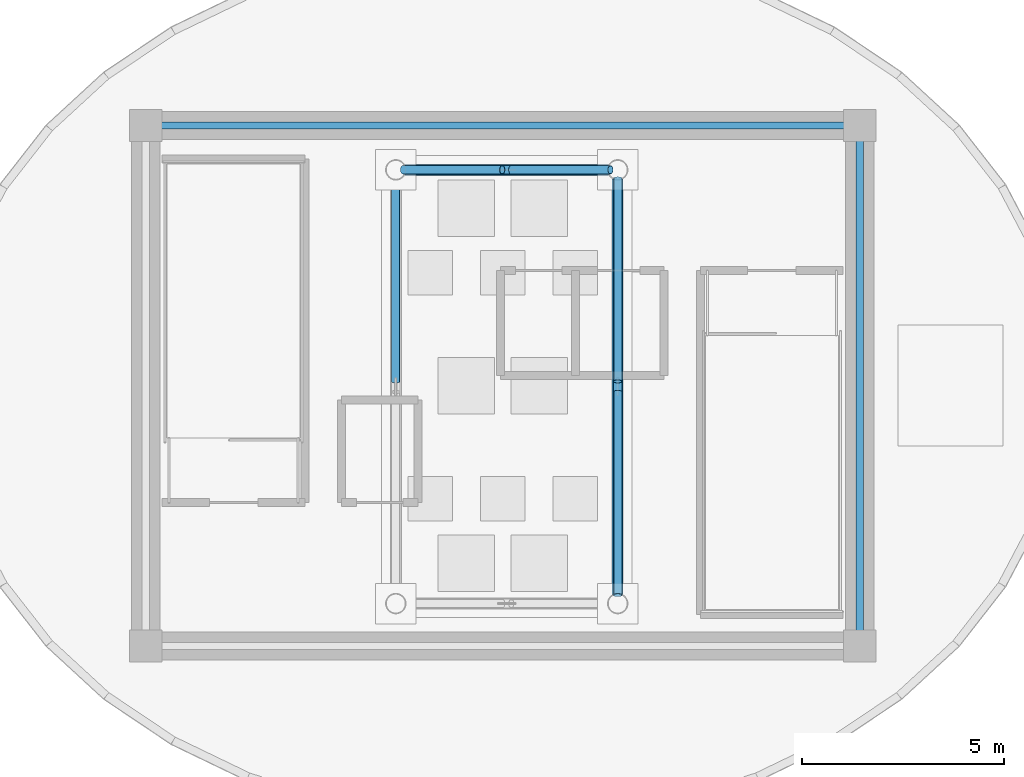
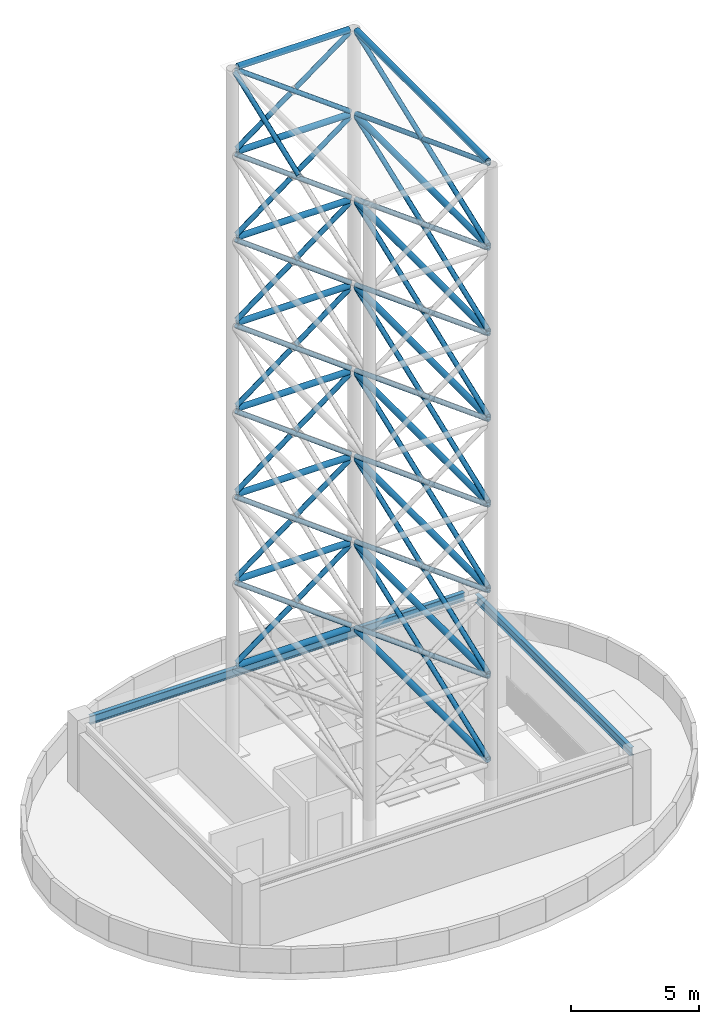
# One storey, part 2 of 6: 43 members, 18 beams.
"""IFC4 building model written with IfcOpenShell, lengths in metres."""

from ifc_helpers import new_model, si_unit, direction, frame, origin, origin_2d, place, context, subcontext, project, spatial, hollow_circle, i_section, extrude, material, material_profile, profile_set, type_object, element, save


model = new_model("IFC4")

# Units and contexts
model_context = context("Model", 3, precision=1e-05, world=origin(), true_north=direction((0.0, 1.0)))
body_context = subcontext(model_context, "Body", "Model", "MODEL_VIEW")
ifc_project = project(units=[si_unit("LENGTHUNIT", "METRE"), si_unit("AREAUNIT", "SQUARE_METRE"), si_unit("VOLUMEUNIT", "CUBIC_METRE"), si_unit("PLANEANGLEUNIT", "RADIAN"), si_unit("MASSUNIT", "GRAM", prefix="KILO")], contexts=[model_context])

# Site, building, storey
site_placement = place(None, origin())
site = spatial("IfcSite", under=ifc_project, at=site_placement, CompositionType="ELEMENT")
building_placement = place(site_placement, origin())
building = spatial("IfcBuilding", under=site, at=building_placement, Name="Linh Dai School and Residence Tower", CompositionType="ELEMENT")
storey_placement = place(building_placement, frame((0.0, 0.0, 373.199951171875)))
storey = spatial("IfcBuildingStorey", under=building, at=storey_placement, Name="RF", CompositionType="ELEMENT", Elevation=373.199951171875)

# Beams
ifc_material = material(Name="Structural Steel S355JR", Category="steel")
ifc_material_profile_1 = material_profile(ifc_material, hollow_circle(Radius=0.136474609375, WallThickness=0.010009765625, at=origin_2d()), Name="CHS 273x10")
ifc_profile_set_1 = profile_set([ifc_material_profile_1], Name="Structural Steel S355JR")
beam_type_1 = type_object("IfcBeamType", Name="BM-MSTR", PredefinedType="USERDEFINED", material=ifc_profile_set_1)
beam_1_placement = place(storey_placement, frame((38.85009765625, 21.823974609375, 4.10009765625), z_axis=(0.0, 1.0, 0.0), x_axis=(-1.0, 0.0, 0.0)))
element("IfcBeam", 1, at=beam_1_placement, inside=storey, type_object=beam_type_1, Name="Lattice Broadcast Mast Ring Strut Tier 1 Face 2", ObjectType="MAST", PredefinedType="USERDEFINED", context=body_context, shape_type="SweptSolid", body=[
    extrude(hollow_circle(Radius=0.136474609375, WallThickness=0.010009765625, at=origin_2d()), origin(), (0.0, 0.0, 1.0), 10.302001953125),
])
beam_2_placement = place(storey_placement, frame((38.6259765625, 32.35009765625, 4.10009765625), z_axis=(-1.0, 0.0, 0.0), x_axis=(0.0, -1.0, 0.0)))
element("IfcBeam", 2, at=beam_2_placement, inside=storey, type_object=beam_type_1, Name="Lattice Broadcast Mast Ring Strut Tier 1 Face 3", ObjectType="MAST", PredefinedType="USERDEFINED", context=body_context, shape_type="SweptSolid", body=[
    extrude(hollow_circle(Radius=0.136474609375, WallThickness=0.010009765625, at=origin_2d()), origin(), (0.0, 0.0, 1.0), 5.052001953125),
])
beam_3_placement = place(storey_placement, frame((38.85009765625, 21.823974609375, 8.199951171875), z_axis=(0.0, 1.0, 0.0), x_axis=(-1.0, 0.0, 0.0)))
element("IfcBeam", 3, at=beam_3_placement, inside=storey, type_object=beam_type_1, Name="Lattice Broadcast Mast Ring Strut Tier 2 Face 2", ObjectType="MAST", PredefinedType="USERDEFINED", context=body_context, shape_type="SweptSolid", body=[
    extrude(hollow_circle(Radius=0.136474609375, WallThickness=0.010009765625, at=origin_2d()), origin(), (0.0, 0.0, 1.0), 10.302001953125),
])
beam_4_placement = place(storey_placement, frame((38.6259765625, 32.35009765625, 8.199951171875), z_axis=(-1.0, 0.0, 0.0), x_axis=(0.0, -1.0, 0.0)))
element("IfcBeam", 4, at=beam_4_placement, inside=storey, type_object=beam_type_1, Name="Lattice Broadcast Mast Ring Strut Tier 2 Face 3", ObjectType="MAST", PredefinedType="USERDEFINED", context=body_context, shape_type="SweptSolid", body=[
    extrude(hollow_circle(Radius=0.136474609375, WallThickness=0.010009765625, at=origin_2d()), origin(), (0.0, 0.0, 1.0), 5.052001953125),
])
beam_5_placement = place(storey_placement, frame((38.85009765625, 21.823974609375, 12.300048828125), z_axis=(0.0, 1.0, 0.0), x_axis=(-1.0, 0.0, 0.0)))
element("IfcBeam", 5, at=beam_5_placement, inside=storey, type_object=beam_type_1, Name="Lattice Broadcast Mast Ring Strut Tier 3 Face 2", ObjectType="MAST", PredefinedType="USERDEFINED", context=body_context, shape_type="SweptSolid", body=[
    extrude(hollow_circle(Radius=0.136474609375, WallThickness=0.010009765625, at=origin_2d()), origin(), (0.0, 0.0, 1.0), 10.302001953125),
])
beam_6_placement = place(storey_placement, frame((38.6259765625, 32.35009765625, 12.300048828125), z_axis=(-1.0, 0.0, 0.0), x_axis=(0.0, -1.0, 0.0)))
element("IfcBeam", 6, at=beam_6_placement, inside=storey, type_object=beam_type_1, Name="Lattice Broadcast Mast Ring Strut Tier 3 Face 3", ObjectType="MAST", PredefinedType="USERDEFINED", context=body_context, shape_type="SweptSolid", body=[
    extrude(hollow_circle(Radius=0.136474609375, WallThickness=0.010009765625, at=origin_2d()), origin(), (0.0, 0.0, 1.0), 5.052001953125),
])
beam_7_placement = place(storey_placement, frame((38.85009765625, 21.823974609375, 16.400146484375), z_axis=(0.0, 1.0, 0.0), x_axis=(-1.0, 0.0, 0.0)))
element("IfcBeam", 7, at=beam_7_placement, inside=storey, type_object=beam_type_1, Name="Lattice Broadcast Mast Ring Strut Tier 4 Face 2", ObjectType="MAST", PredefinedType="USERDEFINED", context=body_context, shape_type="SweptSolid", body=[
    extrude(hollow_circle(Radius=0.136474609375, WallThickness=0.010009765625, at=origin_2d()), origin(), (0.0, 0.0, 1.0), 10.302001953125),
])
beam_8_placement = place(storey_placement, frame((38.6259765625, 32.35009765625, 16.400146484375), z_axis=(-1.0, 0.0, 0.0), x_axis=(0.0, -1.0, 0.0)))
element("IfcBeam", 8, at=beam_8_placement, inside=storey, type_object=beam_type_1, Name="Lattice Broadcast Mast Ring Strut Tier 4 Face 3", ObjectType="MAST", PredefinedType="USERDEFINED", context=body_context, shape_type="SweptSolid", body=[
    extrude(hollow_circle(Radius=0.136474609375, WallThickness=0.010009765625, at=origin_2d()), origin(), (0.0, 0.0, 1.0), 5.052001953125),
])
beam_9_placement = place(storey_placement, frame((38.85009765625, 21.823974609375, 20.5), z_axis=(0.0, 1.0, 0.0), x_axis=(-1.0, 0.0, 0.0)))
element("IfcBeam", 9, at=beam_9_placement, inside=storey, type_object=beam_type_1, Name="Lattice Broadcast Mast Ring Strut Tier 5 Face 2", ObjectType="MAST", PredefinedType="USERDEFINED", context=body_context, shape_type="SweptSolid", body=[
    extrude(hollow_circle(Radius=0.136474609375, WallThickness=0.010009765625, at=origin_2d()), origin(), (0.0, 0.0, 1.0), 10.302001953125),
])
beam_10_placement = place(storey_placement, frame((38.6259765625, 32.35009765625, 20.5), z_axis=(-1.0, 0.0, 0.0), x_axis=(0.0, -1.0, 0.0)))
element("IfcBeam", 10, at=beam_10_placement, inside=storey, type_object=beam_type_1, Name="Lattice Broadcast Mast Ring Strut Tier 5 Face 3", ObjectType="MAST", PredefinedType="USERDEFINED", context=body_context, shape_type="SweptSolid", body=[
    extrude(hollow_circle(Radius=0.136474609375, WallThickness=0.010009765625, at=origin_2d()), origin(), (0.0, 0.0, 1.0), 5.052001953125),
])
beam_11_placement = place(storey_placement, frame((38.85009765625, 21.823974609375, 24.60009765625), z_axis=(0.0, 1.0, 0.0), x_axis=(-1.0, 0.0, 0.0)))
element("IfcBeam", 11, at=beam_11_placement, inside=storey, type_object=beam_type_1, Name="Lattice Broadcast Mast Ring Strut Tier 6 Face 2", ObjectType="MAST", PredefinedType="USERDEFINED", context=body_context, shape_type="SweptSolid", body=[
    extrude(hollow_circle(Radius=0.136474609375, WallThickness=0.010009765625, at=origin_2d()), origin(), (0.0, 0.0, 1.0), 10.302001953125),
])
beam_12_placement = place(storey_placement, frame((38.6259765625, 32.35009765625, 24.60009765625), z_axis=(-1.0, 0.0, 0.0), x_axis=(0.0, -1.0, 0.0)))
element("IfcBeam", 12, at=beam_12_placement, inside=storey, type_object=beam_type_1, Name="Lattice Broadcast Mast Ring Strut Tier 6 Face 3", ObjectType="MAST", PredefinedType="USERDEFINED", context=body_context, shape_type="SweptSolid", body=[
    extrude(hollow_circle(Radius=0.136474609375, WallThickness=0.010009765625, at=origin_2d()), origin(), (0.0, 0.0, 1.0), 5.052001953125),
])
beam_13_placement = place(storey_placement, frame((38.85009765625, 21.823974609375, 28.699951171875), z_axis=(0.0, 1.0, 0.0), x_axis=(-1.0, 0.0, 0.0)))
element("IfcBeam", 13, at=beam_13_placement, inside=storey, type_object=beam_type_1, Name="Lattice Broadcast Mast Ring Strut Tier 7 Face 2", ObjectType="MAST", PredefinedType="USERDEFINED", context=body_context, shape_type="SweptSolid", body=[
    extrude(hollow_circle(Radius=0.136474609375, WallThickness=0.010009765625, at=origin_2d()), origin(), (0.0, 0.0, 1.0), 10.302001953125),
])
beam_14_placement = place(storey_placement, frame((38.6259765625, 32.35009765625, 28.699951171875), z_axis=(-1.0, 0.0, 0.0), x_axis=(0.0, -1.0, 0.0)))
element("IfcBeam", 14, at=beam_14_placement, inside=storey, type_object=beam_type_1, Name="Lattice Broadcast Mast Ring Strut Tier 7 Face 3", ObjectType="MAST", PredefinedType="USERDEFINED", context=body_context, shape_type="SweptSolid", body=[
    extrude(hollow_circle(Radius=0.136474609375, WallThickness=0.010009765625, at=origin_2d()), origin(), (0.0, 0.0, 1.0), 5.052001953125),
])
beam_15_placement = place(storey_placement, frame((38.85009765625, 21.823974609375, 32.760009765625), z_axis=(0.0, 1.0, 0.0), x_axis=(-1.0, 0.0, 0.0)))
element("IfcBeam", 15, at=beam_15_placement, inside=storey, type_object=beam_type_1, Name="Lattice Broadcast Mast Ring Strut Tier 8 Face 2", ObjectType="MAST", PredefinedType="USERDEFINED", context=body_context, shape_type="SweptSolid", body=[
    extrude(hollow_circle(Radius=0.136474609375, WallThickness=0.010009765625, at=origin_2d()), origin(), (0.0, 0.0, 1.0), 10.302001953125),
])
beam_16_placement = place(storey_placement, frame((38.6259765625, 32.35009765625, 32.760009765625), z_axis=(-1.0, 0.0, 0.0), x_axis=(0.0, -1.0, 0.0)))
element("IfcBeam", 16, at=beam_16_placement, inside=storey, type_object=beam_type_1, Name="Lattice Broadcast Mast Ring Strut Tier 8 Face 3", ObjectType="MAST", PredefinedType="USERDEFINED", context=body_context, shape_type="SweptSolid", body=[
    extrude(hollow_circle(Radius=0.136474609375, WallThickness=0.010009765625, at=origin_2d()), origin(), (0.0, 0.0, 1.0), 5.052001953125),
])
ifc_material_profile_2 = material_profile(ifc_material, i_section(OverallWidth=0.179931640625, OverallDepth=0.39990234375, WebThickness=0.008544921875, FlangeThickness=0.013427734375, FilletRadius=0.02099609375, at=origin_2d()), Name="IPE 400")
ifc_profile_set_2 = profile_set([ifc_material_profile_2], Name="Structural Steel S355JR")
beam_type_2 = type_object("IfcBeamType", Name="BM-SB40", PredefinedType="BEAM", material=ifc_profile_set_2)
beam_17_placement = place(storey_placement, frame((44.85009765625, 20.919921875, 2.949951171875), z_axis=(0.0, 1.0, 0.0), x_axis=(-1.0, 0.0, 0.0)))
element("IfcBeam", 17, at=beam_17_placement, inside=storey, type_object=beam_type_2, Name="RF Vestibule Roof Edge Beam 2", PredefinedType="BEAM", context=body_context, shape_type="SweptSolid", body=[
    extrude(i_section(OverallWidth=0.179931640625, OverallDepth=0.39990234375, WebThickness=0.008544921875, FlangeThickness=0.013427734375, FilletRadius=0.02099609375, at=origin_2d()), origin(), (0.0, 0.0, 1.0), 12.16015625),
])
beam_18_placement = place(storey_placement, frame((44.47998046875, 33.449951171875, 2.949951171875), z_axis=(-1.0, 0.0, 0.0), x_axis=(0.0, -1.0, 0.0)))
element("IfcBeam", 18, at=beam_18_placement, inside=storey, type_object=beam_type_2, Name="RF Vestibule Roof Edge Beam 3", PredefinedType="BEAM", context=body_context, shape_type="SweptSolid", body=[
    extrude(i_section(OverallWidth=0.179931640625, OverallDepth=0.39990234375, WebThickness=0.008544921875, FlangeThickness=0.013427734375, FilletRadius=0.02099609375, at=origin_2d()), origin(), (0.0, 0.0, 1.0), 16.9599609375),
])

# Members
ifc_material_profile_3 = material_profile(ifc_material, hollow_circle(Radius=0.109619140625, WallThickness=0.008056640625, at=origin_2d()), Name="CHS 219.1x8")
ifc_profile_set_3 = profile_set([ifc_material_profile_3], Name="Structural Steel S355JR")
member_type = type_object("IfcMemberType", Name="MBR-MSTB", PredefinedType="USERDEFINED", material=ifc_profile_set_3)
member_1_placement = place(storey_placement, frame((38.85009765625, 21.809326171875, 4.179931640625), z_axis=(0.0, 0.934353702999, 0.356346962514), x_axis=(-1.0, 0.0, 0.0)))
element("IfcMember", 19, at=member_1_placement, inside=storey, type_object=member_type, Name="Lattice Broadcast Mast Continuous X-Brace Tier 2 Face 2", ObjectType="MAST", PredefinedType="USERDEFINED", context=body_context, shape_type="SweptSolid", body=[
    extrude(hollow_circle(Radius=0.109619140625, WallThickness=0.008056640625, at=origin_2d()), origin(), (0.0, 0.0, 1.0), 11.05712890625),
])
for number, where, z_axis, x_axis, name in (
    (20, (38.85009765625, 32.140625, 4.179931640625), (0.0, -0.934357763918, 0.356336314465), (1.0, 0.0, 0.0), "Lattice Broadcast Mast Split X-Brace Tier 2 Face 2 B1"),
    (21, (38.85009765625, 26.84423828125, 6.199951171875), (0.0, -0.934357763918, 0.356336314465), (1.0, 0.0, 0.0), "Lattice Broadcast Mast Split X-Brace Tier 2 Face 2 B2"),
):
    element("IfcMember", number, at=place(storey_placement, frame(where, z_axis=z_axis, x_axis=x_axis)), inside=storey, type_object=member_type, Name=name, ObjectType="MAST", PredefinedType="USERDEFINED", context=body_context, shape_type="SweptSolid", body=[
        extrude(hollow_circle(Radius=0.109619140625, WallThickness=0.008056640625, at=origin_2d()), origin(), (0.0, 0.0, 1.0), 5.388671875),
    ])
member_2_placement = place(storey_placement, frame((38.67041015625, 32.35009765625, 4.23388671875), z_axis=(-0.801746527221, 0.0, 0.597664208472), x_axis=(0.0, -1.0, 0.0)))
element("IfcMember", 22, at=member_2_placement, inside=storey, type_object=member_type, Name="Lattice Broadcast Mast Continuous X-Brace Tier 2 Face 3", ObjectType="MAST", PredefinedType="USERDEFINED", context=body_context, shape_type="SweptSolid", body=[
    extrude(hollow_circle(Radius=0.109619140625, WallThickness=0.008056640625, at=origin_2d()), origin(), (0.0, 0.0, 1.0), 6.412109375),
])
for number, where, z_axis, x_axis, name in (
    (23, (33.529541015625, 32.35009765625, 4.23388671875), (0.801745170064, 0.0, 0.597666029049), (0.0, 1.0, 0.0), "Lattice Broadcast Mast Split X-Brace Tier 2 Face 3 B1"),
    (24, (36.212158203125, 32.35009765625, 6.233642578125), (0.801745170064, 0.0, 0.597666029049), (0.0, 1.0, 0.0), "Lattice Broadcast Mast Split X-Brace Tier 2 Face 3 B2"),
):
    element("IfcMember", number, at=place(storey_placement, frame(where, z_axis=z_axis, x_axis=x_axis)), inside=storey, type_object=member_type, Name=name, ObjectType="MAST", PredefinedType="USERDEFINED", context=body_context, shape_type="SweptSolid", body=[
        extrude(hollow_circle(Radius=0.109619140625, WallThickness=0.008056640625, at=origin_2d()), origin(), (0.0, 0.0, 1.0), 3.066162109375),
    ])
member_3_placement = place(storey_placement, frame((38.85009765625, 21.809326171875, 8.27978515625), z_axis=(0.0, 0.934346351276, 0.356366238381), x_axis=(-1.0, 0.0, 0.0)))
element("IfcMember", 25, at=member_3_placement, inside=storey, type_object=member_type, Name="Lattice Broadcast Mast Continuous X-Brace Tier 3 Face 2", ObjectType="MAST", PredefinedType="USERDEFINED", context=body_context, shape_type="SweptSolid", body=[
    extrude(hollow_circle(Radius=0.109619140625, WallThickness=0.008056640625, at=origin_2d()), origin(), (0.0, 0.0, 1.0), 11.05712890625),
])
for number, where, z_axis, x_axis, name in (
    (26, (38.85009765625, 32.140625, 8.27978515625), (0.0, -0.934342678695, 0.356375867265), (1.0, 0.0, 0.0), "Lattice Broadcast Mast Split X-Brace Tier 3 Face 2 B1"),
    (27, (38.85009765625, 26.84423828125, 10.300048828125), (0.0, -0.934357763918, 0.356336314465), (1.0, 0.0, 0.0), "Lattice Broadcast Mast Split X-Brace Tier 3 Face 2 B2"),
):
    element("IfcMember", number, at=place(storey_placement, frame(where, z_axis=z_axis, x_axis=x_axis)), inside=storey, type_object=member_type, Name=name, ObjectType="MAST", PredefinedType="USERDEFINED", context=body_context, shape_type="SweptSolid", body=[
        extrude(hollow_circle(Radius=0.109619140625, WallThickness=0.008056640625, at=origin_2d()), origin(), (0.0, 0.0, 1.0), 5.388671875),
    ])
member_4_placement = place(storey_placement, frame((38.67041015625, 32.35009765625, 8.333984375), z_axis=(-0.801746527221, 0.0, 0.597664208472), x_axis=(0.0, -1.0, 0.0)))
element("IfcMember", 28, at=member_4_placement, inside=storey, type_object=member_type, Name="Lattice Broadcast Mast Continuous X-Brace Tier 3 Face 3", ObjectType="MAST", PredefinedType="USERDEFINED", context=body_context, shape_type="SweptSolid", body=[
    extrude(hollow_circle(Radius=0.109619140625, WallThickness=0.008056640625, at=origin_2d()), origin(), (0.0, 0.0, 1.0), 6.412109375),
])
member_5_placement = place(storey_placement, frame((33.529541015625, 32.35009765625, 8.333984375), z_axis=(0.801783324672, 0.0, 0.597614842752), x_axis=(0.0, 1.0, 0.0)))
element("IfcMember", 29, at=member_5_placement, inside=storey, type_object=member_type, Name="Lattice Broadcast Mast Split X-Brace Tier 3 Face 3 B1", ObjectType="MAST", PredefinedType="USERDEFINED", context=body_context, shape_type="SweptSolid", body=[
    extrude(hollow_circle(Radius=0.109619140625, WallThickness=0.008056640625, at=origin_2d()), origin(), (0.0, 0.0, 1.0), 3.06591796875),
])
member_6_placement = place(storey_placement, frame((36.212158203125, 32.35009765625, 10.333740234375), z_axis=(0.801745170064, 0.0, 0.597666029049), x_axis=(0.0, 1.0, 0.0)))
element("IfcMember", 30, at=member_6_placement, inside=storey, type_object=member_type, Name="Lattice Broadcast Mast Split X-Brace Tier 3 Face 3 B2", ObjectType="MAST", PredefinedType="USERDEFINED", context=body_context, shape_type="SweptSolid", body=[
    extrude(hollow_circle(Radius=0.109619140625, WallThickness=0.008056640625, at=origin_2d()), origin(), (0.0, 0.0, 1.0), 3.066162109375),
])
member_7_placement = place(storey_placement, frame((38.85009765625, 21.809326171875, 12.3798828125), z_axis=(0.0, 0.934346351276, 0.356366238381), x_axis=(-1.0, 0.0, 0.0)))
element("IfcMember", 31, at=member_7_placement, inside=storey, type_object=member_type, Name="Lattice Broadcast Mast Continuous X-Brace Tier 4 Face 2", ObjectType="MAST", PredefinedType="USERDEFINED", context=body_context, shape_type="SweptSolid", body=[
    extrude(hollow_circle(Radius=0.109619140625, WallThickness=0.008056640625, at=origin_2d()), origin(), (0.0, 0.0, 1.0), 11.05712890625),
])
for number, where, z_axis, x_axis, name in (
    (32, (38.85009765625, 32.140625, 12.3798828125), (0.0, -0.934357763918, 0.356336314465), (1.0, 0.0, 0.0), "Lattice Broadcast Mast Split X-Brace Tier 4 Face 2 B1"),
    (33, (38.85009765625, 26.84423828125, 14.39990234375), (0.0, -0.934342678695, 0.356375867265), (1.0, 0.0, 0.0), "Lattice Broadcast Mast Split X-Brace Tier 4 Face 2 B2"),
):
    element("IfcMember", number, at=place(storey_placement, frame(where, z_axis=z_axis, x_axis=x_axis)), inside=storey, type_object=member_type, Name=name, ObjectType="MAST", PredefinedType="USERDEFINED", context=body_context, shape_type="SweptSolid", body=[
        extrude(hollow_circle(Radius=0.109619140625, WallThickness=0.008056640625, at=origin_2d()), origin(), (0.0, 0.0, 1.0), 5.388671875),
    ])
member_8_placement = place(storey_placement, frame((38.67041015625, 32.35009765625, 12.433837890625), z_axis=(-0.801746527221, 0.0, 0.597664208472), x_axis=(0.0, -1.0, 0.0)))
element("IfcMember", 34, at=member_8_placement, inside=storey, type_object=member_type, Name="Lattice Broadcast Mast Continuous X-Brace Tier 4 Face 3", ObjectType="MAST", PredefinedType="USERDEFINED", context=body_context, shape_type="SweptSolid", body=[
    extrude(hollow_circle(Radius=0.109619140625, WallThickness=0.008056640625, at=origin_2d()), origin(), (0.0, 0.0, 1.0), 6.412109375),
])
member_9_placement = place(storey_placement, frame((33.529541015625, 32.35009765625, 12.433837890625), z_axis=(0.801745170064, 0.0, 0.597666029049), x_axis=(0.0, 1.0, 0.0)))
element("IfcMember", 35, at=member_9_placement, inside=storey, type_object=member_type, Name="Lattice Broadcast Mast Split X-Brace Tier 4 Face 3 B1", ObjectType="MAST", PredefinedType="USERDEFINED", context=body_context, shape_type="SweptSolid", body=[
    extrude(hollow_circle(Radius=0.109619140625, WallThickness=0.008056640625, at=origin_2d()), origin(), (0.0, 0.0, 1.0), 3.066162109375),
])
member_10_placement = place(storey_placement, frame((36.212158203125, 32.35009765625, 14.433837890625), z_axis=(0.801783324672, 0.0, 0.597614842752), x_axis=(0.0, 1.0, 0.0)))
element("IfcMember", 36, at=member_10_placement, inside=storey, type_object=member_type, Name="Lattice Broadcast Mast Split X-Brace Tier 4 Face 3 B2", ObjectType="MAST", PredefinedType="USERDEFINED", context=body_context, shape_type="SweptSolid", body=[
    extrude(hollow_circle(Radius=0.109619140625, WallThickness=0.008056640625, at=origin_2d()), origin(), (0.0, 0.0, 1.0), 3.06591796875),
])
member_11_placement = place(storey_placement, frame((38.85009765625, 21.809326171875, 16.47998046875), z_axis=(0.0, 0.934353702999, 0.356346962514), x_axis=(-1.0, 0.0, 0.0)))
element("IfcMember", 37, at=member_11_placement, inside=storey, type_object=member_type, Name="Lattice Broadcast Mast Continuous X-Brace Tier 5 Face 2", ObjectType="MAST", PredefinedType="USERDEFINED", context=body_context, shape_type="SweptSolid", body=[
    extrude(hollow_circle(Radius=0.109619140625, WallThickness=0.008056640625, at=origin_2d()), origin(), (0.0, 0.0, 1.0), 11.05712890625),
])
for number, where, z_axis, x_axis, name in (
    (38, (38.85009765625, 32.140625, 16.47998046875), (0.0, -0.934357763918, 0.356336314465), (1.0, 0.0, 0.0), "Lattice Broadcast Mast Split X-Brace Tier 5 Face 2 B1"),
    (39, (38.85009765625, 26.84423828125, 18.5), (0.0, -0.934357763918, 0.356336314465), (1.0, 0.0, 0.0), "Lattice Broadcast Mast Split X-Brace Tier 5 Face 2 B2"),
):
    element("IfcMember", number, at=place(storey_placement, frame(where, z_axis=z_axis, x_axis=x_axis)), inside=storey, type_object=member_type, Name=name, ObjectType="MAST", PredefinedType="USERDEFINED", context=body_context, shape_type="SweptSolid", body=[
        extrude(hollow_circle(Radius=0.109619140625, WallThickness=0.008056640625, at=origin_2d()), origin(), (0.0, 0.0, 1.0), 5.388671875),
    ])
member_12_placement = place(storey_placement, frame((38.67041015625, 32.35009765625, 16.533935546875), z_axis=(-0.801746527221, 0.0, 0.597664208472), x_axis=(0.0, -1.0, 0.0)))
element("IfcMember", 40, at=member_12_placement, inside=storey, type_object=member_type, Name="Lattice Broadcast Mast Continuous X-Brace Tier 5 Face 3", ObjectType="MAST", PredefinedType="USERDEFINED", context=body_context, shape_type="SweptSolid", body=[
    extrude(hollow_circle(Radius=0.109619140625, WallThickness=0.008056640625, at=origin_2d()), origin(), (0.0, 0.0, 1.0), 6.412109375),
])
for number, where, z_axis, x_axis, name in (
    (41, (33.529541015625, 32.35009765625, 16.533935546875), (0.801745170064, 0.0, 0.597666029049), (0.0, 1.0, 0.0), "Lattice Broadcast Mast Split X-Brace Tier 5 Face 3 B1"),
    (42, (36.212158203125, 32.35009765625, 18.53369140625), (0.801745170064, 0.0, 0.597666029049), (0.0, 1.0, 0.0), "Lattice Broadcast Mast Split X-Brace Tier 5 Face 3 B2"),
):
    element("IfcMember", number, at=place(storey_placement, frame(where, z_axis=z_axis, x_axis=x_axis)), inside=storey, type_object=member_type, Name=name, ObjectType="MAST", PredefinedType="USERDEFINED", context=body_context, shape_type="SweptSolid", body=[
        extrude(hollow_circle(Radius=0.109619140625, WallThickness=0.008056640625, at=origin_2d()), origin(), (0.0, 0.0, 1.0), 3.066162109375),
    ])
member_13_placement = place(storey_placement, frame((38.85009765625, 21.809326171875, 20.579833984375), z_axis=(0.0, 0.934346351276, 0.356366238381), x_axis=(-1.0, 0.0, 0.0)))
element("IfcMember", 43, at=member_13_placement, inside=storey, type_object=member_type, Name="Lattice Broadcast Mast Continuous X-Brace Tier 6 Face 2", ObjectType="MAST", PredefinedType="USERDEFINED", context=body_context, shape_type="SweptSolid", body=[
    extrude(hollow_circle(Radius=0.109619140625, WallThickness=0.008056640625, at=origin_2d()), origin(), (0.0, 0.0, 1.0), 11.05712890625),
])
for number, where, z_axis, x_axis, name in (
    (44, (38.85009765625, 32.140625, 20.579833984375), (0.0, -0.934342678695, 0.356375867265), (1.0, 0.0, 0.0), "Lattice Broadcast Mast Split X-Brace Tier 6 Face 2 B1"),
    (45, (38.85009765625, 26.84423828125, 22.599853515625), (0.0, -0.934342678695, 0.356375867265), (1.0, 0.0, 0.0), "Lattice Broadcast Mast Split X-Brace Tier 6 Face 2 B2"),
):
    element("IfcMember", number, at=place(storey_placement, frame(where, z_axis=z_axis, x_axis=x_axis)), inside=storey, type_object=member_type, Name=name, ObjectType="MAST", PredefinedType="USERDEFINED", context=body_context, shape_type="SweptSolid", body=[
        extrude(hollow_circle(Radius=0.109619140625, WallThickness=0.008056640625, at=origin_2d()), origin(), (0.0, 0.0, 1.0), 5.388671875),
    ])
member_14_placement = place(storey_placement, frame((38.67041015625, 32.35009765625, 20.634033203125), z_axis=(-0.801764771887, 0.0, 0.597639733084), x_axis=(0.0, -1.0, 0.0)))
element("IfcMember", 46, at=member_14_placement, inside=storey, type_object=member_type, Name="Lattice Broadcast Mast Continuous X-Brace Tier 6 Face 3", ObjectType="MAST", PredefinedType="USERDEFINED", context=body_context, shape_type="SweptSolid", body=[
    extrude(hollow_circle(Radius=0.109619140625, WallThickness=0.008056640625, at=origin_2d()), origin(), (0.0, 0.0, 1.0), 6.411865234375),
])
for number, where, z_axis, x_axis, name in (
    (47, (33.529541015625, 32.35009765625, 20.634033203125), (0.801783324672, 0.0, 0.597614842752), (0.0, 1.0, 0.0), "Lattice Broadcast Mast Split X-Brace Tier 6 Face 3 B1"),
    (48, (36.212158203125, 32.35009765625, 22.6337890625), (0.801783324672, 0.0, 0.597614842752), (0.0, 1.0, 0.0), "Lattice Broadcast Mast Split X-Brace Tier 6 Face 3 B2"),
):
    element("IfcMember", number, at=place(storey_placement, frame(where, z_axis=z_axis, x_axis=x_axis)), inside=storey, type_object=member_type, Name=name, ObjectType="MAST", PredefinedType="USERDEFINED", context=body_context, shape_type="SweptSolid", body=[
        extrude(hollow_circle(Radius=0.109619140625, WallThickness=0.008056640625, at=origin_2d()), origin(), (0.0, 0.0, 1.0), 3.06591796875),
    ])
member_15_placement = place(storey_placement, frame((38.85009765625, 21.809326171875, 24.679931640625), z_axis=(0.0, 0.934353702999, 0.356346962514), x_axis=(-1.0, 0.0, 0.0)))
element("IfcMember", 49, at=member_15_placement, inside=storey, type_object=member_type, Name="Lattice Broadcast Mast Continuous X-Brace Tier 7 Face 2", ObjectType="MAST", PredefinedType="USERDEFINED", context=body_context, shape_type="SweptSolid", body=[
    extrude(hollow_circle(Radius=0.109619140625, WallThickness=0.008056640625, at=origin_2d()), origin(), (0.0, 0.0, 1.0), 11.05712890625),
])
for number, where, z_axis, x_axis, name in (
    (50, (38.85009765625, 32.140625, 24.679931640625), (0.0, -0.934357763918, 0.356336314465), (1.0, 0.0, 0.0), "Lattice Broadcast Mast Split X-Brace Tier 7 Face 2 B1"),
    (51, (38.85009765625, 26.84423828125, 26.699951171875), (0.0, -0.934357763918, 0.356336314465), (1.0, 0.0, 0.0), "Lattice Broadcast Mast Split X-Brace Tier 7 Face 2 B2"),
):
    element("IfcMember", number, at=place(storey_placement, frame(where, z_axis=z_axis, x_axis=x_axis)), inside=storey, type_object=member_type, Name=name, ObjectType="MAST", PredefinedType="USERDEFINED", context=body_context, shape_type="SweptSolid", body=[
        extrude(hollow_circle(Radius=0.109619140625, WallThickness=0.008056640625, at=origin_2d()), origin(), (0.0, 0.0, 1.0), 5.388671875),
    ])
member_16_placement = place(storey_placement, frame((38.67041015625, 32.35009765625, 24.73388671875), z_axis=(-0.801746527221, 0.0, 0.597664208472), x_axis=(0.0, -1.0, 0.0)))
element("IfcMember", 52, at=member_16_placement, inside=storey, type_object=member_type, Name="Lattice Broadcast Mast Continuous X-Brace Tier 7 Face 3", ObjectType="MAST", PredefinedType="USERDEFINED", context=body_context, shape_type="SweptSolid", body=[
    extrude(hollow_circle(Radius=0.109619140625, WallThickness=0.008056640625, at=origin_2d()), origin(), (0.0, 0.0, 1.0), 6.412109375),
])
for number, where, z_axis, x_axis, name in (
    (53, (33.529541015625, 32.35009765625, 24.73388671875), (0.801745170064, 0.0, 0.597666029049), (0.0, 1.0, 0.0), "Lattice Broadcast Mast Split X-Brace Tier 7 Face 3 B1"),
    (54, (36.212158203125, 32.35009765625, 26.733642578125), (0.801745170064, 0.0, 0.597666029049), (0.0, 1.0, 0.0), "Lattice Broadcast Mast Split X-Brace Tier 7 Face 3 B2"),
):
    element("IfcMember", number, at=place(storey_placement, frame(where, z_axis=z_axis, x_axis=x_axis)), inside=storey, type_object=member_type, Name=name, ObjectType="MAST", PredefinedType="USERDEFINED", context=body_context, shape_type="SweptSolid", body=[
        extrude(hollow_circle(Radius=0.109619140625, WallThickness=0.008056640625, at=origin_2d()), origin(), (0.0, 0.0, 1.0), 3.066162109375),
    ])
member_17_placement = place(storey_placement, frame((38.85009765625, 21.8095703125, 28.779296875), z_axis=(0.0, 0.935506197383, 0.353310280997), x_axis=(-1.0, 0.0, 0.0)))
element("IfcMember", 55, at=member_17_placement, inside=storey, type_object=member_type, Name="Lattice Broadcast Mast Continuous X-Brace Tier 8 Face 2", ObjectType="MAST", PredefinedType="USERDEFINED", context=body_context, shape_type="SweptSolid", body=[
    extrude(hollow_circle(Radius=0.109619140625, WallThickness=0.008056640625, at=origin_2d()), origin(), (0.0, 0.0, 1.0), 11.04296875),
])
for number, where, z_axis, x_axis, name in (
    (56, (38.85009765625, 32.140380859375, 28.779296875), (0.0, -0.935504418838, 0.353314990248), (1.0, 0.0, 0.0), "Lattice Broadcast Mast Split X-Brace Tier 8 Face 2 B1"),
    (57, (38.85009765625, 26.843994140625, 30.779541015625), (0.0, -0.935504418838, 0.353314990248), (1.0, 0.0, 0.0), "Lattice Broadcast Mast Split X-Brace Tier 8 Face 2 B2"),
):
    element("IfcMember", number, at=place(storey_placement, frame(where, z_axis=z_axis, x_axis=x_axis)), inside=storey, type_object=member_type, Name=name, ObjectType="MAST", PredefinedType="USERDEFINED", context=body_context, shape_type="SweptSolid", body=[
        extrude(hollow_circle(Radius=0.109619140625, WallThickness=0.008056640625, at=origin_2d()), origin(), (0.0, 0.0, 1.0), 5.381591796875),
    ])
member_18_placement = place(storey_placement, frame((38.669677734375, 32.35009765625, 28.8330078125), z_axis=(-0.804531034679, 0.0, 0.59391061132), x_axis=(0.0, -1.0, 0.0)))
element("IfcMember", 58, at=member_18_placement, inside=storey, type_object=member_type, Name="Lattice Broadcast Mast Continuous X-Brace Tier 8 Face 3", ObjectType="MAST", PredefinedType="USERDEFINED", context=body_context, shape_type="SweptSolid", body=[
    extrude(hollow_circle(Radius=0.109619140625, WallThickness=0.008056640625, at=origin_2d()), origin(), (0.0, 0.0, 1.0), 6.38818359375),
])
member_19_placement = place(storey_placement, frame((33.5302734375, 32.35009765625, 28.8330078125), z_axis=(0.804504960002, 0.0, 0.593945931321), x_axis=(0.0, 1.0, 0.0)))
element("IfcMember", 59, at=member_19_placement, inside=storey, type_object=member_type, Name="Lattice Broadcast Mast Split X-Brace Tier 8 Face 3 B1", ObjectType="MAST", PredefinedType="USERDEFINED", context=body_context, shape_type="SweptSolid", body=[
    extrude(hollow_circle(Radius=0.109619140625, WallThickness=0.008056640625, at=origin_2d()), origin(), (0.0, 0.0, 1.0), 3.05419921875),
])
member_20_placement = place(storey_placement, frame((36.212646484375, 32.35009765625, 30.813232421875), z_axis=(0.804543157546, 0.0, 0.593894188931), x_axis=(0.0, 1.0, 0.0)))
element("IfcMember", 60, at=member_20_placement, inside=storey, type_object=member_type, Name="Lattice Broadcast Mast Split X-Brace Tier 8 Face 3 B2", ObjectType="MAST", PredefinedType="USERDEFINED", context=body_context, shape_type="SweptSolid", body=[
    extrude(hollow_circle(Radius=0.109619140625, WallThickness=0.008056640625, at=origin_2d()), origin(), (0.0, 0.0, 1.0), 3.053955078125),
])
member_21_placement = place(storey_placement, frame((33.35009765625, 27.10595703125, 30.779541015625), z_axis=(0.0, 0.935504418838, 0.353314990248), x_axis=(-1.0, 0.0, 0.0)))
element("IfcMember", 61, at=member_21_placement, inside=storey, type_object=member_type, Name="Lattice Broadcast Mast Split X-Brace Tier 8 Face 4 B2", ObjectType="MAST", PredefinedType="USERDEFINED", context=body_context, shape_type="SweptSolid", body=[
    extrude(hollow_circle(Radius=0.109619140625, WallThickness=0.008056640625, at=origin_2d()), origin(), (0.0, 0.0, 1.0), 5.381591796875),
])

save(model, "model.ifc")
